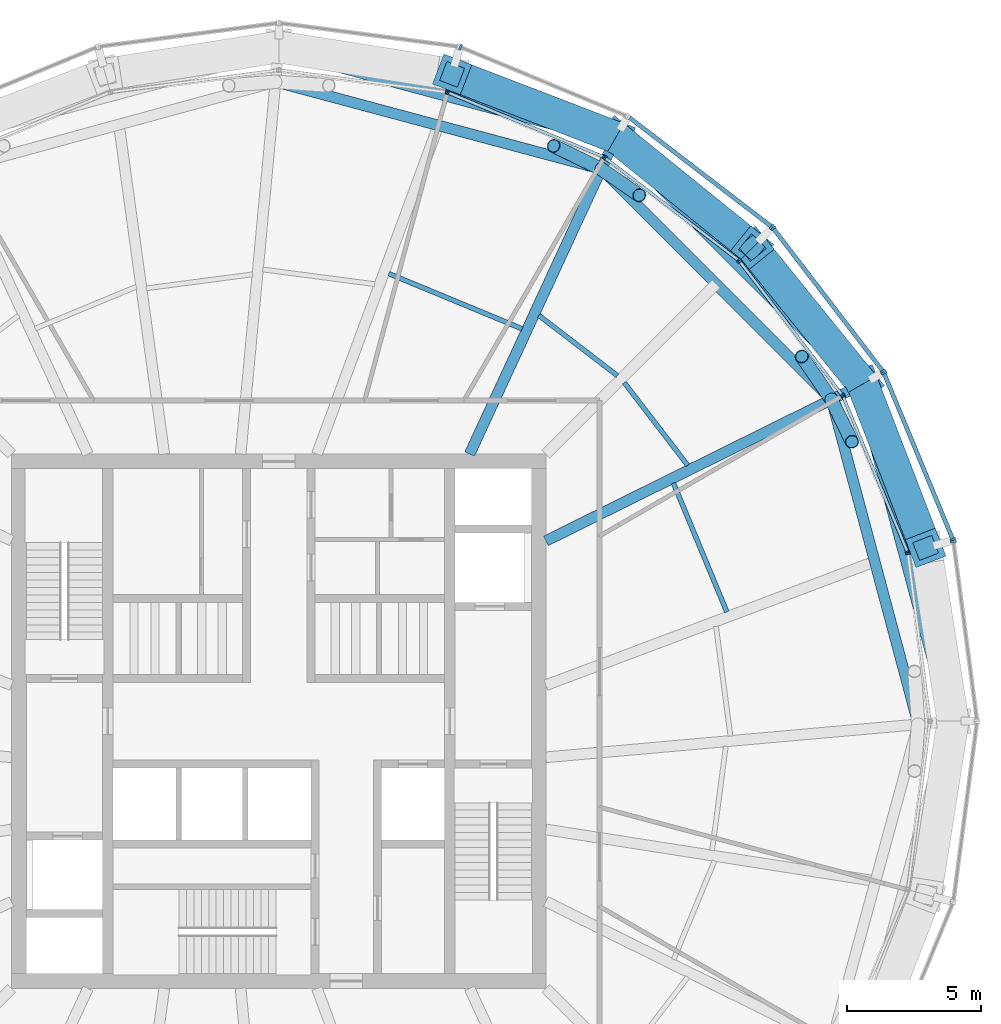
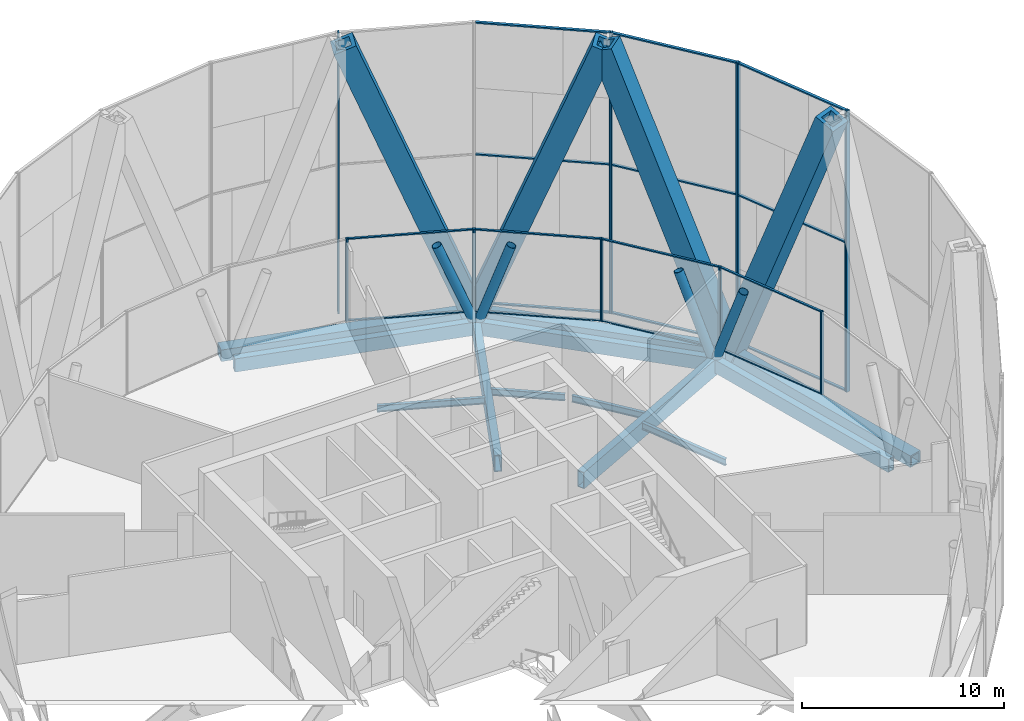
# One storey, part 8 of 17: 42 members, 12 beams, 11 elements without a shape of their own.
"""IFC4 building model written with IfcOpenShell, lengths in metres."""

from ifc_helpers import new_model, si_unit, direction, frame, origin, origin_2d, place, context, subcontext, project, spatial, rectangle, hollow_rectangle, hollow_circle, i_section, extrude, material, material_profile, profile_set, type_object, element, aggregate, save


model = new_model("IFC4")

# Units and contexts
model_context = context("Model", 3, precision=1e-05, world=origin(), true_north=direction((0.0, 1.0)))
body_context = subcontext(model_context, "Body", "Model", "MODEL_VIEW")
ifc_project = project(units=[si_unit("LENGTHUNIT", "METRE"), si_unit("AREAUNIT", "SQUARE_METRE"), si_unit("VOLUMEUNIT", "CUBIC_METRE"), si_unit("PLANEANGLEUNIT", "RADIAN"), si_unit("MASSUNIT", "GRAM", prefix="KILO")], contexts=[model_context])

# Site, building, storey
site_placement = place(None, origin())
site = spatial("IfcSite", under=ifc_project, at=site_placement, CompositionType="ELEMENT")
building_placement = place(site_placement, origin())
building = spatial("IfcBuilding", under=site, at=building_placement, Name="Golbaran Civic Tower", CompositionType="ELEMENT")
storey_placement = place(building_placement, frame((0.0, 0.0, 150.0)))
storey = spatial("IfcBuildingStorey", under=building, at=storey_placement, Name="L36", CompositionType="ELEMENT", Elevation=150.0)

# Members
ifc_material_1 = material(Name="Steel S355", Category="steel")
ifc_material_profile_1 = material_profile(ifc_material_1, hollow_circle(Radius=0.25390625, WallThickness=0.02490234375, at=origin_2d()), Name="CHS 508.0x25")
ifc_profile_set_1 = profile_set([ifc_material_profile_1], Name="Steel S355")
member_type_1 = type_object("IfcMemberType", Name="BELT TRUSS DIAGONAL CHS 508.0x25", PredefinedType="BRACE", material=ifc_profile_set_1)
member_1_placement = place(storey_placement, frame((20.683349609375, 12.037841796875, -0.60009765625), z_axis=(-0.206640802217, 0.300481641772, 0.931133911861), x_axis=(-0.823965525405, -0.56663993236, 0.0)))
element("IfcMember", 1, at=member_1_placement, inside=storey, type_object=member_type_1, Name="Belt truss diagonal 30.00R L36", PredefinedType="BRACE", context=body_context, shape_type="SweptSolid", body=[
    extrude(hollow_circle(Radius=0.25390625, WallThickness=0.02490234375, at=origin_2d()), origin(), (0.0, 0.0, 1.0), 5.369873046875),
])
member_2_placement = place(storey_placement, frame((20.683349609375, 12.037841796875, -0.60009765625), z_axis=(0.144666349872, -0.297948179816, 0.943556320184), x_axis=(0.89956906414, 0.436778546683, 0.0)))
element("IfcMember", 2, at=member_2_placement, inside=storey, type_object=member_type_1, Name="Belt truss diagonal 30.00L L36", PredefinedType="BRACE", context=body_context, shape_type="SweptSolid", body=[
    extrude(hollow_circle(Radius=0.25390625, WallThickness=0.02490234375, at=origin_2d()), origin(), (0.0, 0.0, 1.0), 5.299072265625),
])
member_3_placement = place(storey_placement, frame((12.068603515625, 20.66552734375, -0.60009765625), z_axis=(-0.331275116984, 0.161325262505, 0.929640229629), x_axis=(-0.437826456737, -0.899059505139, 0.0)))
element("IfcMember", 3, at=member_3_placement, inside=storey, type_object=member_type_1, Name="Belt truss diagonal 60.00R L36", PredefinedType="BRACE", context=body_context, shape_type="SweptSolid", body=[
    extrude(hollow_circle(Radius=0.25390625, WallThickness=0.02490234375, at=origin_2d()), origin(), (0.0, 0.0, 1.0), 5.37841796875),
])
member_4_placement = place(storey_placement, frame((12.068603515625, 20.66552734375, -0.60009765625), z_axis=(0.269161972985, -0.18559394057, 0.945043237912), x_axis=(0.567660393907, 0.823262823884, 0.0)))
element("IfcMember", 4, at=member_4_placement, inside=storey, type_object=member_type_1, Name="Belt truss diagonal 60.00L L36", PredefinedType="BRACE", context=body_context, shape_type="SweptSolid", body=[
    extrude(hollow_circle(Radius=0.25390625, WallThickness=0.02490234375, at=origin_2d()), origin(), (0.0, 0.0, 1.0), 5.290771484375),
])
ifc_material_profile_2 = material_profile(ifc_material_1, hollow_rectangle(XDim=1.199951171875, YDim=1.199951171875, WallThickness=0.219970703125, at=origin_2d()), Name="BOX 1200x1200x220")
ifc_profile_set_2 = profile_set([ifc_material_profile_2], Name="Steel S355")
member_type_2 = type_object("IfcMemberType", Name="DIAGRID DIAGONAL BOX 1200x1200x220", PredefinedType="BRACE", material=ifc_profile_set_2)
for number, where, z_axis, x_axis, name in (
    (5, (21.853271484375, 12.616943359375, -0.7099609375), (-0.22667961159, 0.280131041779, 0.932814533078), (-0.77737125081, -0.629042080003, 0.0), "Diagonal D08-01R L36-L40"),
    (6, (21.853271484375, 12.616943359375, -0.7099609375), (0.129261656788, -0.336369669426, 0.932816632342), (0.933449046665, 0.358710018371, 0.0), "Diagonal D08-01L L36-L40"),
    (7, (12.616943359375, 21.853271484375, -0.7099609375), (-0.336369669426, 0.129261656788, 0.932816632342), (-0.358710018371, -0.933449046665, 0.0), "Diagonal D08-02R L36-L40"),
    (8, (12.616943359375, 21.853271484375, -0.7099609375), (0.280131041779, -0.22667961159, 0.932814533078), (0.629042080003, 0.77737125081, 0.0), "Diagonal D08-02L L36-L40"),
):
    element("IfcMember", number, at=place(storey_placement, frame(where, z_axis=z_axis, x_axis=x_axis)), inside=storey, type_object=member_type_2, Name=name, PredefinedType="BRACE", context=body_context, shape_type="SweptSolid", body=[
        extrude(hollow_rectangle(XDim=1.199951171875, YDim=1.199951171875, WallThickness=0.219970703125, at=origin_2d()), origin(), (0.0, 0.0, 1.0), 18.224365234375),
    ])

# Beams
ifc_material_profile_3 = material_profile(ifc_material_1, hollow_rectangle(XDim=0.699951171875, YDim=0.699951171875, WallThickness=0.080078125, at=origin_2d()), Name="BOX 700x700x80")
ifc_profile_set_3 = profile_set([ifc_material_profile_3], Name="Steel S355")
beam_type_1 = type_object("IfcBeamType", Name="DIAGRID RING TIE BOX 700x700x80", PredefinedType="BEAM", material=ifc_profile_set_3)
beam_1_placement = place(storey_placement, frame((25.23388671875, 0.0, -0.7099609375), z_axis=(-0.258813005749, 0.965927444509, 0.0), x_axis=(-0.965927444509, -0.258813005749, 0.0)))
element("IfcBeam", 9, at=beam_1_placement, inside=storey, type_object=beam_type_1, Name="Ring tie 0.00 L36", PredefinedType="BEAM", context=body_context, shape_type="SweptSolid", body=[
    extrude(hollow_rectangle(XDim=0.699951171875, YDim=0.699951171875, WallThickness=0.080078125, at=origin_2d()), origin(), (0.0, 0.0, 1.0), 13.06201171875),
])
beam_2_placement = place(storey_placement, frame((21.853271484375, 12.616943359375, -0.7099609375), z_axis=(-0.707106781187, 0.707106781187, 0.0), x_axis=(-0.707106781187, -0.707106781187, 0.0)))
element("IfcBeam", 10, at=beam_2_placement, inside=storey, type_object=beam_type_1, Name="Ring tie 30.00 L36", PredefinedType="BEAM", context=body_context, shape_type="SweptSolid", body=[
    extrude(hollow_rectangle(XDim=0.699951171875, YDim=0.699951171875, WallThickness=0.080078125, at=origin_2d()), origin(), (0.0, 0.0, 1.0), 13.062255859375),
])
beam_3_placement = place(storey_placement, frame((12.616943359375, 21.853271484375, -0.7099609375), z_axis=(-0.965927444509, 0.258813005749, 0.0), x_axis=(-0.258813005749, -0.965927444509, 0.0)))
element("IfcBeam", 11, at=beam_3_placement, inside=storey, type_object=beam_type_1, Name="Ring tie 60.00 L36", PredefinedType="BEAM", context=body_context, shape_type="SweptSolid", body=[
    extrude(hollow_rectangle(XDim=0.699951171875, YDim=0.699951171875, WallThickness=0.080078125, at=origin_2d()), origin(), (0.0, 0.0, 1.0), 13.06201171875),
])
ifc_material_profile_4 = material_profile(ifc_material_1, hollow_rectangle(XDim=0.39990234375, YDim=0.800048828125, WallThickness=0.0400390625, at=origin_2d()), Name="BOX 800x400x40")
ifc_profile_set_4 = profile_set([ifc_material_profile_4], Name="Steel S355")
beam_type_2 = type_object("IfcBeamType", Name="EDGE BEAM BOX 800x400x40", PredefinedType="BEAM", material=ifc_profile_set_4)
beam_4_placement = place(storey_placement, frame((23.884033203125, 0.06103515625, -0.60009765625), z_axis=(-0.25816151872, 0.966101770132, 0.0), x_axis=(-0.966101770132, -0.25816151872, 0.0)))
element("IfcBeam", 12, at=beam_4_placement, inside=storey, type_object=beam_type_2, Name="Edge beam 0.00 L36", PredefinedType="BEAM", context=body_context, shape_type="SweptSolid", body=[
    extrude(hollow_rectangle(XDim=0.39990234375, YDim=0.800048828125, WallThickness=0.0400390625, at=origin_2d()), origin(), (0.0, 0.0, 1.0), 12.213623046875),
])
beam_5_placement = place(storey_placement, frame((20.54931640625, 12.17236328125, -0.60009765625), z_axis=(-0.706589807333, 0.707623377351, 0.0), x_axis=(-0.707623377351, -0.706589807333, 0.0)))
element("IfcBeam", 13, at=beam_5_placement, inside=storey, type_object=beam_type_2, Name="Edge beam 30.00 L36", PredefinedType="BEAM", context=body_context, shape_type="SweptSolid", body=[
    extrude(hollow_rectangle(XDim=0.39990234375, YDim=0.800048828125, WallThickness=0.0400390625, at=origin_2d()), origin(), (0.0, 0.0, 1.0), 11.810546875),
])
beam_6_placement = place(storey_placement, frame((11.89208984375, 20.712890625, -0.60009765625), z_axis=(-0.965942361173, 0.25875732819, 0.0), x_axis=(-0.25875732819, -0.965942361173, 0.0)))
element("IfcBeam", 14, at=beam_6_placement, inside=storey, type_object=beam_type_2, Name="Edge beam 60.00 L36", PredefinedType="BEAM", context=body_context, shape_type="SweptSolid", body=[
    extrude(hollow_rectangle(XDim=0.39990234375, YDim=0.800048828125, WallThickness=0.0400390625, at=origin_2d()), origin(), (0.0, 0.0, 1.0), 12.25537109375),
])
ifc_material_profile_5 = material_profile(ifc_material_1, i_section(OverallWidth=0.179931640625, OverallDepth=0.39990234375, WebThickness=0.008544921875, FlangeThickness=0.013427734375, FilletRadius=0.02099609375, at=origin_2d()), Name="IPE 400")
ifc_profile_set_5 = profile_set([ifc_material_profile_5], Name="Steel S355")
beam_type_3 = type_object("IfcBeamType", Name="FLOOR INFILL BEAM IPE 400", PredefinedType="BEAM", material=ifc_profile_set_5)
beam_7_placement = place(storey_placement, frame((16.769775390625, 4.087890625, -0.39990234375), z_axis=(-0.382675323855, 0.923882891125, 0.0), x_axis=(-0.923882891125, -0.382675323855, 0.0)))
element("IfcBeam", 15, at=beam_7_placement, inside=storey, type_object=beam_type_3, Name="Infill beam 22.50 L36", PredefinedType="BEAM", context=body_context, shape_type="SweptSolid", body=[
    extrude(i_section(OverallWidth=0.179931640625, OverallDepth=0.39990234375, WebThickness=0.008544921875, FlangeThickness=0.013427734375, FilletRadius=0.02099609375, at=origin_2d()), origin(), (0.0, 0.0, 1.0), 5.220703125),
])
beam_8_placement = place(storey_placement, frame((15.304931640625, 9.57666015625, -0.39990234375), z_axis=(-0.608749219954, 0.793362708479, 0.0), x_axis=(-0.793362708479, -0.608749219954, 0.0)))
element("IfcBeam", 16, at=beam_8_placement, inside=storey, type_object=beam_type_3, Name="Infill beam 37.50 L36", PredefinedType="BEAM", context=body_context, shape_type="SweptSolid", body=[
    extrude(i_section(OverallWidth=0.179931640625, OverallDepth=0.39990234375, WebThickness=0.008544921875, FlangeThickness=0.013427734375, FilletRadius=0.02099609375, at=origin_2d()), origin(), (0.0, 0.0, 1.0), 3.90380859375),
])
beam_9_placement = place(storey_placement, frame((12.675537109375, 12.929931640625, -0.39990234375), z_axis=(-0.793365568043, 0.608745493161, 0.0), x_axis=(-0.608745493161, -0.793365568043, 0.0)))
element("IfcBeam", 17, at=beam_9_placement, inside=storey, type_object=beam_type_3, Name="Infill beam 52.50 L36", PredefinedType="BEAM", context=body_context, shape_type="SweptSolid", body=[
    extrude(i_section(OverallWidth=0.179931640625, OverallDepth=0.39990234375, WebThickness=0.008544921875, FlangeThickness=0.013427734375, FilletRadius=0.02099609375, at=origin_2d()), origin(), (0.0, 0.0, 1.0), 3.705322265625),
])
beam_10_placement = place(storey_placement, frame((9.108642578125, 14.68603515625, -0.39990234375), z_axis=(-0.923873082412, 0.38269900391, 0.0), x_axis=(-0.38269900391, -0.923873082412, 0.0)))
element("IfcBeam", 18, at=beam_10_placement, inside=storey, type_object=beam_type_3, Name="Infill beam 67.50 L36", PredefinedType="BEAM", context=body_context, shape_type="SweptSolid", body=[
    extrude(i_section(OverallWidth=0.179931640625, OverallDepth=0.39990234375, WebThickness=0.008544921875, FlangeThickness=0.013427734375, FilletRadius=0.02099609375, at=origin_2d()), origin(), (0.0, 0.0, 1.0), 5.40283203125),
])

# Curtain wall, member
ifc_material_2 = material(Name="Aluminium and glass", Category="aluminium")
curtain_wall_type_1 = type_object("IfcCurtainWallType", Name="OUTER SKIN TERRACOTTA SCREEN", PredefinedType="NOTDEFINED", material=ifc_material_2)
curtain_wall_1_placement = place(storey_placement, origin())
curtain_wall_1 = element("IfcCurtainWall", 19, at=curtain_wall_1_placement, inside=storey, type_object=curtain_wall_type_1, Name="Outer skin L36 facet 1 CW3", ObjectType="OUTER SKIN", PredefinedType="USERDEFINED")
ifc_material_3 = material(Name="Aluminium", Category="aluminium")
ifc_material_profile_6 = material_profile(ifc_material_3, rectangle(XDim=0.219970703125, YDim=0.080078125, at=origin_2d()), Name="OUTER SKIN TERRACOTTA SCREEN MULLION")
ifc_profile_set_6 = profile_set([ifc_material_profile_6], Name="Aluminium")
member_type_3 = type_object("IfcMemberType", Name="OUTER SKIN TERRACOTTA SCREEN MULLION", PredefinedType="MULLION", material=ifc_profile_set_6)
member_5_placement = place(storey_placement, frame((25.248779296875, 6.724365234375, -0.7099609375), z_axis=(0.0, 0.0, 1.0), x_axis=(-0.991444861369, -0.130526192255, 0.0)))
member_5 = element("IfcMember", 20, at=member_5_placement, type_object=member_type_3, Name="CW3 mullion 2", PredefinedType="MULLION", context=body_context, shape_type="SweptSolid", body=[
    extrude(rectangle(XDim=0.219970703125, YDim=0.080078125, at=origin_2d()), origin(), (0.0, 0.0, 1.0), 17.0),
])
aggregate(curtain_wall_1, [member_5])

# Curtain wall, members
curtain_wall_2_placement = place(storey_placement, origin())
curtain_wall_2 = element("IfcCurtainWall", 21, at=curtain_wall_2_placement, inside=storey, type_object=curtain_wall_type_1, Name="Outer skin L36 facet 2 CW3", ObjectType="OUTER SKIN", PredefinedType="USERDEFINED")
member_6_placement = place(storey_placement, frame((25.228271484375, 6.801025390625, -0.7099609375), z_axis=(0.0, 0.0, 1.0), x_axis=(-0.923879532545, -0.382683432284, 0.0)))
member_6 = element("IfcMember", 22, at=member_6_placement, type_object=member_type_3, Name="CW3 mullion 1", PredefinedType="MULLION", context=body_context, shape_type="SweptSolid", body=[
    extrude(rectangle(XDim=0.219970703125, YDim=0.080078125, at=origin_2d()), origin(), (0.0, 0.0, 1.0), 17.0),
])
member_7_placement = place(storey_placement, frame((22.64794921875, 13.030029296875, -0.7099609375), z_axis=(0.0, 0.0, 1.0), x_axis=(-0.923879532545, -0.382683432284, 0.0)))
member_7 = element("IfcMember", 23, at=member_7_placement, type_object=member_type_3, Name="CW3 mullion 2", PredefinedType="MULLION", context=body_context, shape_type="SweptSolid", body=[
    extrude(rectangle(XDim=0.219970703125, YDim=0.080078125, at=origin_2d()), origin(), (0.0, 0.0, 1.0), 17.0),
])

curtain_wall_3_placement = place(storey_placement, origin())
curtain_wall_3 = element("IfcCurtainWall", 24, at=curtain_wall_3_placement, inside=storey, type_object=curtain_wall_type_1, Name="Outer skin L36 facet 3 CW3", ObjectType="OUTER SKIN", PredefinedType="USERDEFINED")
member_8_placement = place(storey_placement, frame((22.6083984375, 13.0986328125, -0.7099609375), z_axis=(0.0, 0.0, 1.0), x_axis=(-0.793353340312, -0.608761428981, 0.0)))
member_8 = element("IfcMember", 25, at=member_8_placement, type_object=member_type_3, Name="CW3 mullion 1", PredefinedType="MULLION", context=body_context, shape_type="SweptSolid", body=[
    extrude(rectangle(XDim=0.219970703125, YDim=0.080078125, at=origin_2d()), origin(), (0.0, 0.0, 1.0), 17.0),
])
member_9_placement = place(storey_placement, frame((18.50390625, 18.44775390625, -0.7099609375), z_axis=(0.0, 0.0, 1.0), x_axis=(-0.793353340312, -0.608761428981, 0.0)))
member_9 = element("IfcMember", 26, at=member_9_placement, type_object=member_type_3, Name="CW3 mullion 2", PredefinedType="MULLION", context=body_context, shape_type="SweptSolid", body=[
    extrude(rectangle(XDim=0.219970703125, YDim=0.080078125, at=origin_2d()), origin(), (0.0, 0.0, 1.0), 17.0),
])

# Curtain wall, member
curtain_wall_4_placement = place(storey_placement, origin())
curtain_wall_4 = element("IfcCurtainWall", 27, at=curtain_wall_4_placement, inside=storey, type_object=curtain_wall_type_1, Name="Outer skin L36 facet 4 CW3", ObjectType="OUTER SKIN", PredefinedType="USERDEFINED")
member_10_placement = place(storey_placement, frame((18.44775390625, 18.50390625, -0.7099609375), z_axis=(0.0, 0.0, 1.0), x_axis=(-0.608761428981, -0.793353340312, 0.0)))
member_10 = element("IfcMember", 28, at=member_10_placement, type_object=member_type_3, Name="CW3 mullion 1", PredefinedType="MULLION", context=body_context, shape_type="SweptSolid", body=[
    extrude(rectangle(XDim=0.219970703125, YDim=0.080078125, at=origin_2d()), origin(), (0.0, 0.0, 1.0), 17.0),
])

curtain_wall_5_placement = place(storey_placement, origin())
curtain_wall_5 = element("IfcCurtainWall", 29, at=curtain_wall_5_placement, inside=storey, type_object=curtain_wall_type_1, Name="Outer skin L36 facet 5 CW3", ObjectType="OUTER SKIN", PredefinedType="USERDEFINED")
member_11_placement = place(storey_placement, frame((6.801025390625, 25.228271484375, -0.7099609375), z_axis=(0.0, 0.0, 1.0), x_axis=(-0.382683432284, -0.923879532545, 0.0)))
member_11 = element("IfcMember", 30, at=member_11_placement, type_object=member_type_3, Name="CW3 mullion 2", PredefinedType="MULLION", context=body_context, shape_type="SweptSolid", body=[
    extrude(rectangle(XDim=0.219970703125, YDim=0.080078125, at=origin_2d()), origin(), (0.0, 0.0, 1.0), 17.0),
])
aggregate(curtain_wall_5, [member_11])

# Member
ifc_material_profile_7 = material_profile(ifc_material_3, rectangle(XDim=0.159912109375, YDim=0.080078125, at=origin_2d()), Name="OUTER SKIN TERRACOTTA SCREEN TRANSOM")
ifc_profile_set_7 = profile_set([ifc_material_profile_7], Name="Aluminium")
member_type_4 = type_object("IfcMemberType", Name="OUTER SKIN TERRACOTTA SCREEN TRANSOM", PredefinedType="USERDEFINED", material=ifc_profile_set_7)
member_12_placement = place(storey_placement, frame((25.212890625, 6.837890625, -0.669921875), z_axis=(-0.382678667632, 0.923881506114, 0.0), x_axis=(-0.923881506114, -0.382678667632, 0.0)))
member_12 = element("IfcMember", 31, at=member_12_placement, type_object=member_type_4, Name="CW3 transom 1.1", ObjectType="TRANSOM", PredefinedType="USERDEFINED", context=body_context, shape_type="SweptSolid", body=[
    extrude(rectangle(XDim=0.159912109375, YDim=0.080078125, at=origin_2d()), origin(), (0.0, 0.0, 1.0), 6.662353515625),
])

member_13_placement = place(storey_placement, frame((25.212890625, 6.837890625, 8.2900390625), z_axis=(-0.382678667632, 0.923881506114, 0.0), x_axis=(-0.923881506114, -0.382678667632, 0.0)))
member_13 = element("IfcMember", 32, at=member_13_placement, type_object=member_type_4, Name="CW3 transom 1.2", ObjectType="TRANSOM", PredefinedType="USERDEFINED", context=body_context, shape_type="SweptSolid", body=[
    extrude(rectangle(XDim=0.159912109375, YDim=0.080078125, at=origin_2d()), origin(), (0.0, 0.0, 1.0), 6.662353515625),
])

member_14_placement = place(storey_placement, frame((25.212890625, 6.837890625, 16.25), z_axis=(-0.382678667632, 0.923881506114, 0.0), x_axis=(-0.923881506114, -0.382678667632, 0.0)))
member_14 = element("IfcMember", 33, at=member_14_placement, type_object=member_type_4, Name="CW3 transom 1.3", ObjectType="TRANSOM", PredefinedType="USERDEFINED", context=body_context, shape_type="SweptSolid", body=[
    extrude(rectangle(XDim=0.159912109375, YDim=0.080078125, at=origin_2d()), origin(), (0.0, 0.0, 1.0), 6.662353515625),
])

aggregate(curtain_wall_2, [member_6, member_7, member_12, member_13, member_14])

member_15_placement = place(storey_placement, frame((22.583984375, 13.13037109375, -0.669921875), z_axis=(-0.608746914516, 0.793364477442, 0.0), x_axis=(-0.793364477442, -0.608746914516, 0.0)))
member_15 = element("IfcMember", 34, at=member_15_placement, type_object=member_type_4, Name="CW3 transom 1.1", ObjectType="TRANSOM", PredefinedType="USERDEFINED", context=body_context, shape_type="SweptSolid", body=[
    extrude(rectangle(XDim=0.159912109375, YDim=0.080078125, at=origin_2d()), origin(), (0.0, 0.0, 1.0), 6.662353515625),
])

member_16_placement = place(storey_placement, frame((22.583984375, 13.13037109375, 8.2900390625), z_axis=(-0.608746914516, 0.793364477442, 0.0), x_axis=(-0.793364477442, -0.608746914516, 0.0)))
member_16 = element("IfcMember", 35, at=member_16_placement, type_object=member_type_4, Name="CW3 transom 1.2", ObjectType="TRANSOM", PredefinedType="USERDEFINED", context=body_context, shape_type="SweptSolid", body=[
    extrude(rectangle(XDim=0.159912109375, YDim=0.080078125, at=origin_2d()), origin(), (0.0, 0.0, 1.0), 6.662353515625),
])

member_17_placement = place(storey_placement, frame((22.583984375, 13.13037109375, 16.25), z_axis=(-0.608746914516, 0.793364477442, 0.0), x_axis=(-0.793364477442, -0.608746914516, 0.0)))
member_17 = element("IfcMember", 36, at=member_17_placement, type_object=member_type_4, Name="CW3 transom 1.3", ObjectType="TRANSOM", PredefinedType="USERDEFINED", context=body_context, shape_type="SweptSolid", body=[
    extrude(rectangle(XDim=0.159912109375, YDim=0.080078125, at=origin_2d()), origin(), (0.0, 0.0, 1.0), 6.662353515625),
])

aggregate(curtain_wall_3, [member_8, member_9, member_15, member_16, member_17])

member_18_placement = place(storey_placement, frame((18.416015625, 18.5283203125, -0.669921875), z_axis=(-0.793364477442, 0.608746914516, 0.0), x_axis=(-0.608746914516, -0.793364477442, 0.0)))
member_18 = element("IfcMember", 37, at=member_18_placement, type_object=member_type_4, Name="CW3 transom 1.1", ObjectType="TRANSOM", PredefinedType="USERDEFINED", context=body_context, shape_type="SweptSolid", body=[
    extrude(rectangle(XDim=0.159912109375, YDim=0.080078125, at=origin_2d()), origin(), (0.0, 0.0, 1.0), 6.662353515625),
])

member_19_placement = place(storey_placement, frame((18.416015625, 18.5283203125, 8.2900390625), z_axis=(-0.793364477442, 0.608746914516, 0.0), x_axis=(-0.608746914516, -0.793364477442, 0.0)))
member_19 = element("IfcMember", 38, at=member_19_placement, type_object=member_type_4, Name="CW3 transom 1.2", ObjectType="TRANSOM", PredefinedType="USERDEFINED", context=body_context, shape_type="SweptSolid", body=[
    extrude(rectangle(XDim=0.159912109375, YDim=0.080078125, at=origin_2d()), origin(), (0.0, 0.0, 1.0), 6.662353515625),
])

member_20_placement = place(storey_placement, frame((18.416015625, 18.5283203125, 16.25), z_axis=(-0.793364477442, 0.608746914516, 0.0), x_axis=(-0.608746914516, -0.793364477442, 0.0)))
member_20 = element("IfcMember", 39, at=member_20_placement, type_object=member_type_4, Name="CW3 transom 1.3", ObjectType="TRANSOM", PredefinedType="USERDEFINED", context=body_context, shape_type="SweptSolid", body=[
    extrude(rectangle(XDim=0.159912109375, YDim=0.080078125, at=origin_2d()), origin(), (0.0, 0.0, 1.0), 6.662353515625),
])

aggregate(curtain_wall_4, [member_10, member_18, member_19, member_20])

# Curtain wall, member
curtain_wall_type_2 = type_object("IfcCurtainWallType", Name="PLANT FLOOR LOUVRE WALL", PredefinedType="NOTDEFINED", material=ifc_material_2)
curtain_wall_6_placement = place(storey_placement, origin())
curtain_wall_6 = element("IfcCurtainWall", 40, at=curtain_wall_6_placement, inside=storey, type_object=curtain_wall_type_2, Name="Inner skin L36 facet 1 CW6", ObjectType="PLANT LOUVRE WALL", PredefinedType="USERDEFINED")
ifc_material_profile_8 = material_profile(ifc_material_3, rectangle(XDim=0.159912109375, YDim=0.070068359375, at=origin_2d()), Name="PLANT FLOOR LOUVRE WALL MULLION")
ifc_profile_set_8 = profile_set([ifc_material_profile_8], Name="Aluminium")
member_type_5 = type_object("IfcMemberType", Name="PLANT FLOOR LOUVRE WALL MULLION", PredefinedType="MULLION", material=ifc_profile_set_8)
member_21_placement = place(storey_placement, frame((23.544189453125, 6.272705078125, 0.0), z_axis=(0.0, 0.0, 1.0), x_axis=(-0.991444861381, -0.130526192168, 0.0)))
member_21 = element("IfcMember", 41, at=member_21_placement, type_object=member_type_5, Name="CW6 mullion 2", PredefinedType="MULLION", context=body_context, shape_type="SweptSolid", body=[
    extrude(rectangle(XDim=0.159912109375, YDim=0.070068359375, at=origin_2d()), origin(), (0.0, 0.0, 1.0), 5.0),
])
aggregate(curtain_wall_6, [member_21])

# Curtain wall, members
curtain_wall_7_placement = place(storey_placement, origin())
curtain_wall_7 = element("IfcCurtainWall", 42, at=curtain_wall_7_placement, inside=storey, type_object=curtain_wall_type_2, Name="Inner skin L36 facet 2 CW6", ObjectType="PLANT LOUVRE WALL", PredefinedType="USERDEFINED")
member_22_placement = place(storey_placement, frame((23.526123046875, 6.33984375, 0.0), z_axis=(0.0, 0.0, 1.0), x_axis=(-0.923879532485, -0.38268343243, 0.0)))
member_22 = element("IfcMember", 43, at=member_22_placement, type_object=member_type_5, Name="CW6 mullion 1", PredefinedType="MULLION", context=body_context, shape_type="SweptSolid", body=[
    extrude(rectangle(XDim=0.159912109375, YDim=0.070068359375, at=origin_2d()), origin(), (0.0, 0.0, 1.0), 5.0),
])
member_23_placement = place(storey_placement, frame((21.118408203125, 12.152587890625, 0.0), z_axis=(0.0, 0.0, 1.0), x_axis=(-0.923879532485, -0.38268343243, 0.0)))
member_23 = element("IfcMember", 44, at=member_23_placement, type_object=member_type_5, Name="CW6 mullion 2", PredefinedType="MULLION", context=body_context, shape_type="SweptSolid", body=[
    extrude(rectangle(XDim=0.159912109375, YDim=0.070068359375, at=origin_2d()), origin(), (0.0, 0.0, 1.0), 5.0),
])

curtain_wall_8_placement = place(storey_placement, origin())
curtain_wall_8 = element("IfcCurtainWall", 45, at=curtain_wall_8_placement, inside=storey, type_object=curtain_wall_type_2, Name="Inner skin L36 facet 3 CW6", ObjectType="PLANT LOUVRE WALL", PredefinedType="USERDEFINED")
member_24_placement = place(storey_placement, frame((21.083740234375, 12.212646484375, 0.0), z_axis=(0.0, 0.0, 1.0), x_axis=(-0.793353340376, -0.608761428898, 0.0)))
member_24 = element("IfcMember", 46, at=member_24_placement, type_object=member_type_5, Name="CW6 mullion 1", PredefinedType="MULLION", context=body_context, shape_type="SweptSolid", body=[
    extrude(rectangle(XDim=0.159912109375, YDim=0.070068359375, at=origin_2d()), origin(), (0.0, 0.0, 1.0), 5.0),
])
member_25_placement = place(storey_placement, frame((17.25341796875, 17.204345703125, 0.0), z_axis=(0.0, 0.0, 1.0), x_axis=(-0.793353340376, -0.608761428898, 0.0)))
member_25 = element("IfcMember", 47, at=member_25_placement, type_object=member_type_5, Name="CW6 mullion 2", PredefinedType="MULLION", context=body_context, shape_type="SweptSolid", body=[
    extrude(rectangle(XDim=0.159912109375, YDim=0.070068359375, at=origin_2d()), origin(), (0.0, 0.0, 1.0), 5.0),
])

curtain_wall_9_placement = place(storey_placement, origin())
curtain_wall_9 = element("IfcCurtainWall", 48, at=curtain_wall_9_placement, inside=storey, type_object=curtain_wall_type_2, Name="Inner skin L36 facet 4 CW6", ObjectType="PLANT LOUVRE WALL", PredefinedType="USERDEFINED")
member_26_placement = place(storey_placement, frame((17.204345703125, 17.25341796875, 0.0), z_axis=(0.0, 0.0, 1.0), x_axis=(-0.608761428898, -0.793353340376, 0.0)))
member_26 = element("IfcMember", 49, at=member_26_placement, type_object=member_type_5, Name="CW6 mullion 1", PredefinedType="MULLION", context=body_context, shape_type="SweptSolid", body=[
    extrude(rectangle(XDim=0.159912109375, YDim=0.070068359375, at=origin_2d()), origin(), (0.0, 0.0, 1.0), 5.0),
])
member_27_placement = place(storey_placement, frame((12.212646484375, 21.083740234375, 0.0), z_axis=(0.0, 0.0, 1.0), x_axis=(-0.608761428898, -0.793353340376, 0.0)))
member_27 = element("IfcMember", 50, at=member_27_placement, type_object=member_type_5, Name="CW6 mullion 2", PredefinedType="MULLION", context=body_context, shape_type="SweptSolid", body=[
    extrude(rectangle(XDim=0.159912109375, YDim=0.070068359375, at=origin_2d()), origin(), (0.0, 0.0, 1.0), 5.0),
])

curtain_wall_10_placement = place(storey_placement, origin())
curtain_wall_10 = element("IfcCurtainWall", 51, at=curtain_wall_10_placement, inside=storey, type_object=curtain_wall_type_2, Name="Inner skin L36 facet 5 CW6", ObjectType="PLANT LOUVRE WALL", PredefinedType="USERDEFINED")
member_28_placement = place(storey_placement, frame((12.152587890625, 21.118408203125, 0.0), z_axis=(0.0, 0.0, 1.0), x_axis=(-0.38268343243, -0.923879532485, 0.0)))
member_28 = element("IfcMember", 52, at=member_28_placement, type_object=member_type_5, Name="CW6 mullion 1", PredefinedType="MULLION", context=body_context, shape_type="SweptSolid", body=[
    extrude(rectangle(XDim=0.159912109375, YDim=0.070068359375, at=origin_2d()), origin(), (0.0, 0.0, 1.0), 5.0),
])
member_29_placement = place(storey_placement, frame((6.33984375, 23.526123046875, 0.0), z_axis=(0.0, 0.0, 1.0), x_axis=(-0.38268343243, -0.923879532485, 0.0)))
member_29 = element("IfcMember", 53, at=member_29_placement, type_object=member_type_5, Name="CW6 mullion 2", PredefinedType="MULLION", context=body_context, shape_type="SweptSolid", body=[
    extrude(rectangle(XDim=0.159912109375, YDim=0.070068359375, at=origin_2d()), origin(), (0.0, 0.0, 1.0), 5.0),
])

# Curtain wall, member
curtain_wall_11_placement = place(storey_placement, origin())
curtain_wall_11 = element("IfcCurtainWall", 54, at=curtain_wall_11_placement, inside=storey, type_object=curtain_wall_type_2, Name="Inner skin L36 facet 6 CW6", ObjectType="PLANT LOUVRE WALL", PredefinedType="USERDEFINED")
member_30_placement = place(storey_placement, frame((6.272705078125, 23.544189453125, 0.0), z_axis=(0.0, 0.0, 1.0), x_axis=(-0.130526192168, -0.991444861381, 0.0)))
member_30 = element("IfcMember", 55, at=member_30_placement, type_object=member_type_5, Name="CW6 mullion 1", PredefinedType="MULLION", context=body_context, shape_type="SweptSolid", body=[
    extrude(rectangle(XDim=0.159912109375, YDim=0.070068359375, at=origin_2d()), origin(), (0.0, 0.0, 1.0), 5.0),
])
aggregate(curtain_wall_11, [member_30])

# Member
ifc_material_profile_9 = material_profile(ifc_material_3, rectangle(XDim=0.1201171875, YDim=0.070068359375, at=origin_2d()), Name="PLANT FLOOR LOUVRE WALL TRANSOM")
ifc_profile_set_9 = profile_set([ifc_material_profile_9], Name="Aluminium")
member_type_6 = type_object("IfcMemberType", Name="PLANT FLOOR LOUVRE WALL TRANSOM", PredefinedType="USERDEFINED", material=ifc_profile_set_9)
member_31_placement = place(storey_placement, frame((23.512939453125, 6.3720703125, 0.034912109375), z_axis=(-0.382694875785, 0.923874792408, 0.0), x_axis=(-0.923874792408, -0.382694875785, 0.0)))
member_31 = element("IfcMember", 56, at=member_31_placement, type_object=member_type_6, Name="CW6 transom 1.1", ObjectType="TRANSOM", PredefinedType="USERDEFINED", context=body_context, shape_type="SweptSolid", body=[
    extrude(rectangle(XDim=0.1201171875, YDim=0.070068359375, at=origin_2d()), origin(), (0.0, 0.0, 1.0), 6.221923828125),
])

member_32_placement = place(storey_placement, frame((23.512939453125, 6.3720703125, 4.965087890625), z_axis=(-0.382694875785, 0.923874792408, 0.0), x_axis=(-0.923874792408, -0.382694875785, 0.0)))
member_32 = element("IfcMember", 57, at=member_32_placement, type_object=member_type_6, Name="CW6 transom 1.2", ObjectType="TRANSOM", PredefinedType="USERDEFINED", context=body_context, shape_type="SweptSolid", body=[
    extrude(rectangle(XDim=0.1201171875, YDim=0.070068359375, at=origin_2d()), origin(), (0.0, 0.0, 1.0), 6.221923828125),
])

aggregate(curtain_wall_7, [member_22, member_23, member_31, member_32])

member_33_placement = place(storey_placement, frame((21.0625, 12.240478515625, 0.034912109375), z_axis=(-0.608746996652, 0.79336441442, 0.0), x_axis=(-0.79336441442, -0.608746996652, 0.0)))
member_33 = element("IfcMember", 58, at=member_33_placement, type_object=member_type_6, Name="CW6 transom 1.1", ObjectType="TRANSOM", PredefinedType="USERDEFINED", context=body_context, shape_type="SweptSolid", body=[
    extrude(rectangle(XDim=0.1201171875, YDim=0.070068359375, at=origin_2d()), origin(), (0.0, 0.0, 1.0), 6.221923828125),
])

member_34_placement = place(storey_placement, frame((21.0625, 12.240478515625, 4.965087890625), z_axis=(-0.608746996652, 0.79336441442, 0.0), x_axis=(-0.79336441442, -0.608746996652, 0.0)))
member_34 = element("IfcMember", 59, at=member_34_placement, type_object=member_type_6, Name="CW6 transom 1.2", ObjectType="TRANSOM", PredefinedType="USERDEFINED", context=body_context, shape_type="SweptSolid", body=[
    extrude(rectangle(XDim=0.1201171875, YDim=0.070068359375, at=origin_2d()), origin(), (0.0, 0.0, 1.0), 6.221923828125),
])

aggregate(curtain_wall_8, [member_24, member_25, member_33, member_34])

member_35_placement = place(storey_placement, frame((17.1767578125, 17.27490234375, 0.034912109375), z_axis=(-0.79336441442, 0.608746996652, 0.0), x_axis=(-0.608746996652, -0.79336441442, 0.0)))
member_35 = element("IfcMember", 60, at=member_35_placement, type_object=member_type_6, Name="CW6 transom 1.1", ObjectType="TRANSOM", PredefinedType="USERDEFINED", context=body_context, shape_type="SweptSolid", body=[
    extrude(rectangle(XDim=0.1201171875, YDim=0.070068359375, at=origin_2d()), origin(), (0.0, 0.0, 1.0), 6.221923828125),
])

member_36_placement = place(storey_placement, frame((17.1767578125, 17.27490234375, 4.965087890625), z_axis=(-0.79336441442, 0.608746996652, 0.0), x_axis=(-0.608746996652, -0.79336441442, 0.0)))
member_36 = element("IfcMember", 61, at=member_36_placement, type_object=member_type_6, Name="CW6 transom 1.2", ObjectType="TRANSOM", PredefinedType="USERDEFINED", context=body_context, shape_type="SweptSolid", body=[
    extrude(rectangle(XDim=0.1201171875, YDim=0.070068359375, at=origin_2d()), origin(), (0.0, 0.0, 1.0), 6.221923828125),
])

aggregate(curtain_wall_9, [member_26, member_27, member_35, member_36])

member_37_placement = place(storey_placement, frame((12.120361328125, 21.1318359375, 0.034912109375), z_axis=(-0.923874792408, 0.382694875785, 0.0), x_axis=(-0.382694875785, -0.923874792408, 0.0)))
member_37 = element("IfcMember", 62, at=member_37_placement, type_object=member_type_6, Name="CW6 transom 1.1", ObjectType="TRANSOM", PredefinedType="USERDEFINED", context=body_context, shape_type="SweptSolid", body=[
    extrude(rectangle(XDim=0.1201171875, YDim=0.070068359375, at=origin_2d()), origin(), (0.0, 0.0, 1.0), 6.221923828125),
])

member_38_placement = place(storey_placement, frame((12.120361328125, 21.1318359375, 4.965087890625), z_axis=(-0.923874792408, 0.382694875785, 0.0), x_axis=(-0.382694875785, -0.923874792408, 0.0)))
member_38 = element("IfcMember", 63, at=member_38_placement, type_object=member_type_6, Name="CW6 transom 1.2", ObjectType="TRANSOM", PredefinedType="USERDEFINED", context=body_context, shape_type="SweptSolid", body=[
    extrude(rectangle(XDim=0.1201171875, YDim=0.070068359375, at=origin_2d()), origin(), (0.0, 0.0, 1.0), 6.221923828125),
])

aggregate(curtain_wall_10, [member_28, member_29, member_37, member_38])

# Beams
ifc_material_profile_10 = material_profile(ifc_material_1, hollow_rectangle(XDim=0.39990234375, YDim=1.0, WallThickness=0.0400390625, at=origin_2d()), Name="BOX 1000x400x40")
ifc_profile_set_10 = profile_set([ifc_material_profile_10], Name="Steel S355")
beam_type_4 = type_object("IfcBeamType", Name="RADIAL FLOOR BEAM BOX 1000x400x40", PredefinedType="BEAM", material=ifc_profile_set_10)
beam_11_placement = place(storey_placement, frame((10.0, 6.75, -0.7099609375), z_axis=(0.896224207854, 0.443601363001, 0.0), x_axis=(-0.443601363001, 0.896224207854, 0.0)))
element("IfcBeam", 64, at=beam_11_placement, inside=storey, type_object=beam_type_4, Name="Radial beam 30.00 L36", PredefinedType="BEAM", context=body_context, shape_type="SweptSolid", body=[
    extrude(hollow_rectangle(XDim=0.39990234375, YDim=1.0, WallThickness=0.0400390625, at=origin_2d()), origin(), (0.0, 0.0, 1.0), 12.61083984375),
])
beam_12_placement = place(storey_placement, frame((7.142822265625, 10.0, -0.7099609375), z_axis=(0.419266047451, 0.907863415638, 0.0), x_axis=(-0.907863415638, 0.419266047451, 0.0)))
element("IfcBeam", 65, at=beam_12_placement, inside=storey, type_object=beam_type_4, Name="Radial beam 60.00 L36", PredefinedType="BEAM", context=body_context, shape_type="SweptSolid", body=[
    extrude(hollow_rectangle(XDim=0.39990234375, YDim=1.0, WallThickness=0.0400390625, at=origin_2d()), origin(), (0.0, 0.0, 1.0), 12.4375),
])

save(model, "model.ifc")
